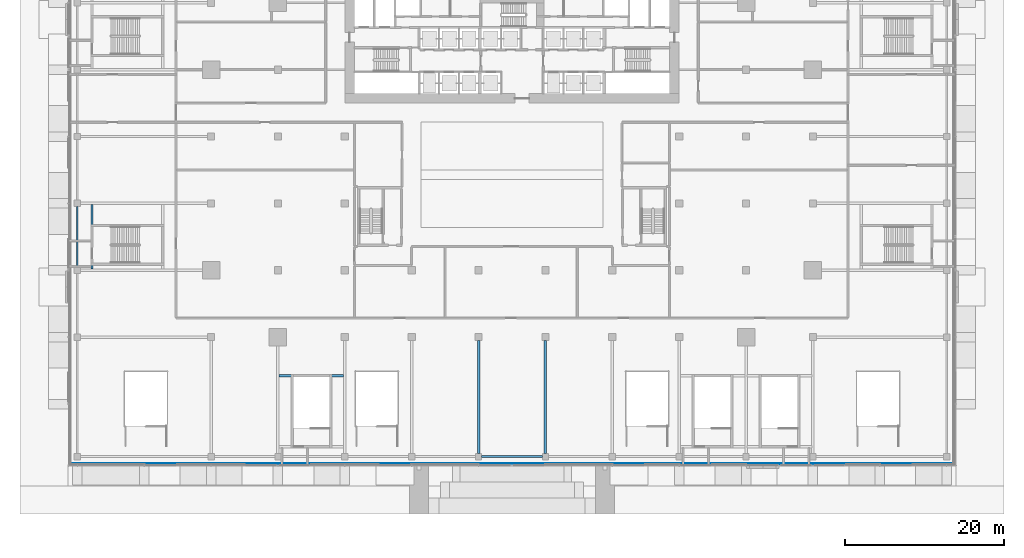
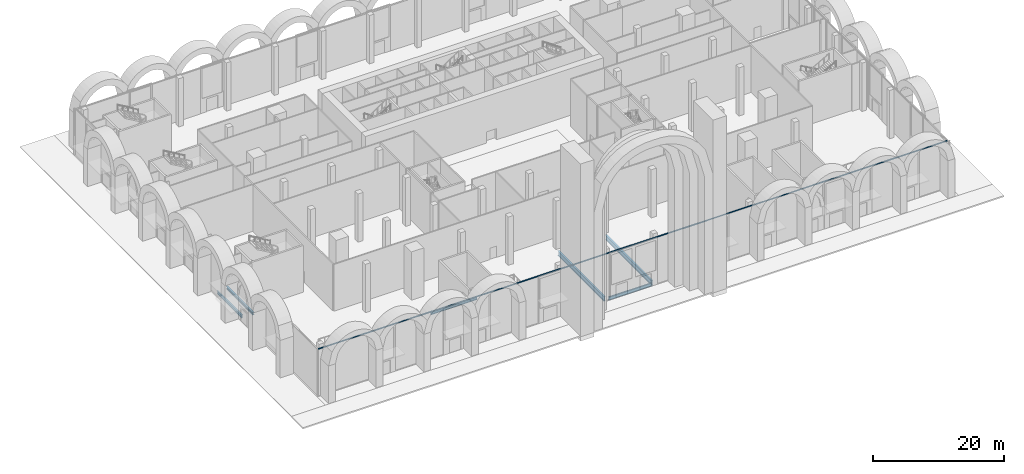
# One storey, part 4 of 43: 6 beams, 1 member, 1 element without a shape of its own.
"""IFC4 building model written with IfcOpenShell, lengths in metres."""

from ifc_helpers import new_model, si_unit, direction, frame, origin, origin_2d, place, context, subcontext, project, spatial, rectangle, i_section, extrude, material, material_profile, profile_set, type_object, element, aggregate, save


model = new_model("IFC4")

# Units and contexts
model_context = context("Model", 3, precision=1e-05, world=origin(), true_north=direction((0.0, 1.0)))
body_context = subcontext(model_context, "Body", "Model", "MODEL_VIEW")
ifc_project = project(units=[si_unit("LENGTHUNIT", "METRE"), si_unit("AREAUNIT", "SQUARE_METRE"), si_unit("VOLUMEUNIT", "CUBIC_METRE"), si_unit("PLANEANGLEUNIT", "RADIAN"), si_unit("MASSUNIT", "GRAM", prefix="KILO")], contexts=[model_context])

# Site, building, storey
site_placement = place(None, origin())
site = spatial("IfcSite", under=ifc_project, at=site_placement, CompositionType="ELEMENT")
building_placement = place(site_placement, origin())
building = spatial("IfcBuilding", under=site, at=building_placement, Name="Saffron Gate Tower", CompositionType="ELEMENT")
storey_placement = place(building_placement, origin())
storey = spatial("IfcBuildingStorey", under=building, at=storey_placement, Name="L00", CompositionType="ELEMENT", Elevation=0.0)

# Beams
ifc_material_1 = material(Name="Structural steel S355", Category="steel")
ifc_material_profile_1 = material_profile(ifc_material_1, i_section(OverallWidth=0.219970703125, OverallDepth=0.60009765625, WebThickness=0.011962890625, FlangeThickness=0.01904296875, FilletRadius=0.02392578125, at=origin_2d()))
ifc_profile_set_1 = profile_set([ifc_material_profile_1], Name="Structural steel S355")
beam_type_1 = type_object("IfcBeamType", Name="B15 IPE 600", PredefinedType="BEAM", material=ifc_profile_set_1)
for number, where, z_axis, x_axis, name in (
    (1, (83.800048828125, 16.800048828125, -0.60009765625), (1.0, 0.0, 0.0), (0.0, 1.0, 0.0), "B15 PODIUM EDGE BEAM"),
    (2, (33.0, 40.60009765625, -0.60009765625), (0.0, 1.0, 0.0), (-1.0, 0.0, 0.0), "B15 PODIUM EDGE BEAM"),
):
    element("IfcBeam", number, at=place(storey_placement, frame(where, z_axis=z_axis, x_axis=x_axis)), inside=storey, type_object=beam_type_1, Name=name, PredefinedType="BEAM", context=body_context, shape_type="SweptSolid", body=[
        extrude(i_section(OverallWidth=0.219970703125, OverallDepth=0.60009765625, WebThickness=0.011962890625, FlangeThickness=0.01904296875, FilletRadius=0.02392578125, at=origin_2d()), origin(), (0.0, 0.0, 1.0), 7.599853515625),
    ])
ifc_material_profile_2 = material_profile(ifc_material_1, i_section(OverallWidth=0.300048828125, OverallDepth=0.889892578125, WebThickness=0.01611328125, FlangeThickness=0.030029296875, FilletRadius=0.030029296875, at=origin_2d()))
ifc_profile_set_2 = profile_set([ifc_material_profile_2], Name="Structural steel S355")
beam_type_2 = type_object("IfcBeamType", Name="B19 HEA 900", PredefinedType="BEAM", material=ifc_profile_set_2)
for number, where, z_axis, x_axis, name in (
    (3, (83.39990234375, 17.199951171875, -0.7451171875), (0.0, 1.0, 0.0), (-1.0, 0.0, 0.0), "B19 PODIUM RING GIRDER"),
    (4, (91.800048828125, 17.199951171875, -0.7451171875), (0.0, 1.0, 0.0), (-1.0, 0.0, 0.0), "B19 PODIUM RING GIRDER"),
):
    element("IfcBeam", number, at=place(storey_placement, frame(where, z_axis=z_axis, x_axis=x_axis)), inside=storey, type_object=beam_type_2, Name=name, PredefinedType="BEAM", context=body_context, shape_type="SweptSolid", body=[
        extrude(i_section(OverallWidth=0.300048828125, OverallDepth=0.889892578125, WebThickness=0.01611328125, FlangeThickness=0.030029296875, FilletRadius=0.030029296875, at=origin_2d()), origin(), (0.0, 0.0, 1.0), 14.150146484375),
    ])
ifc_material_profile_3 = material_profile(ifc_material_1, i_section(OverallWidth=0.300048828125, OverallDepth=0.5, WebThickness=0.014404296875, FlangeThickness=0.028076171875, FilletRadius=0.027099609375, at=origin_2d()))
ifc_profile_set_3 = profile_set([ifc_material_profile_3], Name="Structural steel S355")
beam_type_3 = type_object("IfcBeamType", Name="B9 HEB 500", PredefinedType="BEAM", material=ifc_profile_set_3)
for number, where, z_axis, x_axis, name in (
    (5, (34.85009765625, 40.340087890625, -0.550048828125), (0.0, 1.0, 0.0), (-1.0, 0.0, 0.0), "B9 STAIR ENCLOSURE HEADER BEAM"),
    (6, (58.340087890625, 26.949951171875, -0.550048828125), (1.0, 0.0, 0.0), (0.0, 1.0, 0.0), "B9 STAIR ENCLOSURE HEADER BEAM"),
):
    element("IfcBeam", number, at=place(storey_placement, frame(where, z_axis=z_axis, x_axis=x_axis)), inside=storey, type_object=beam_type_3, Name=name, PredefinedType="BEAM", context=body_context, shape_type="SweptSolid", body=[
        extrude(i_section(OverallWidth=0.300048828125, OverallDepth=0.5, WebThickness=0.014404296875, FlangeThickness=0.028076171875, FilletRadius=0.027099609375, at=origin_2d()), origin(), (0.0, 0.0, 1.0), 8.119873046875),
    ])

# Curtain wall, member
ifc_material_2 = material(Name="Aluminium, bronze anodised", Category="aluminium")
curtain_wall_type = type_object("IfcCurtainWallType", Name="CWS5 curtain wall podium ring base", PredefinedType="NOTDEFINED", material=ifc_material_2)
curtain_wall_placement = place(storey_placement, origin())
curtain_wall = element("IfcCurtainWall", 7, at=curtain_wall_placement, inside=storey, type_object=curtain_wall_type, Name="CWS5 run 1", PredefinedType="NOTDEFINED")
ifc_material_profile_4 = material_profile(ifc_material_2, rectangle(XDim=0.1201171875, YDim=0.1201171875, at=origin_2d()))
ifc_profile_set_4 = profile_set([ifc_material_profile_4], Name="Aluminium, bronze anodised")
member_type = type_object("IfcMemberType", Name="CWS5 head transom", PredefinedType="USERDEFINED", material=ifc_profile_set_4)
member_placement = place(storey_placement, frame((32.2080078125, 15.887939453125, 8.639892578125), z_axis=(1.0, 0.0, 0.0), x_axis=(0.0, 1.0, 0.0)))
member = element("IfcMember", 8, at=member_placement, type_object=member_type, Name="CWS5 head transom", ObjectType="TRANSOM", PredefinedType="USERDEFINED", context=body_context, shape_type="SweptSolid", body=[
    extrude(rectangle(XDim=0.1201171875, YDim=0.1201171875, at=origin_2d()), origin(), (0.0, 0.0, 1.0), 110.783935546875),
])
aggregate(curtain_wall, [member])

save(model, "model.ifc")
